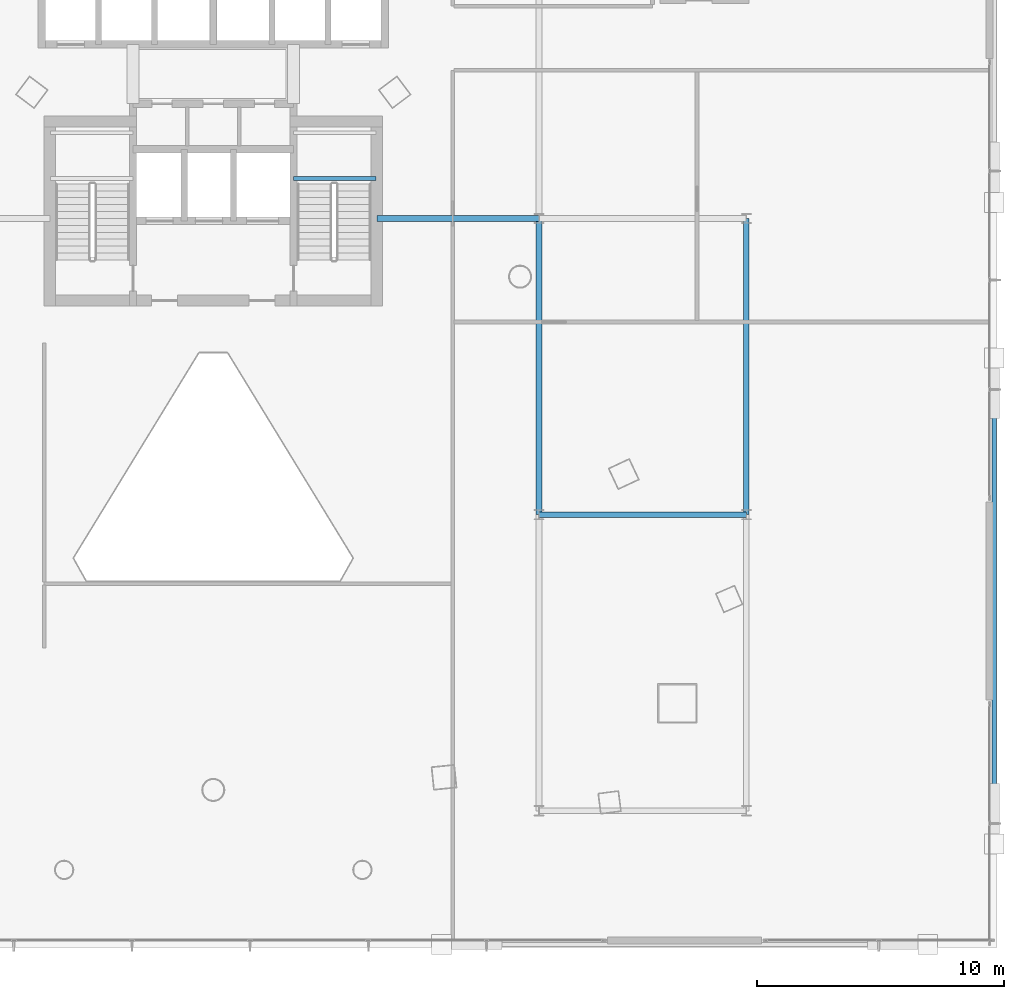
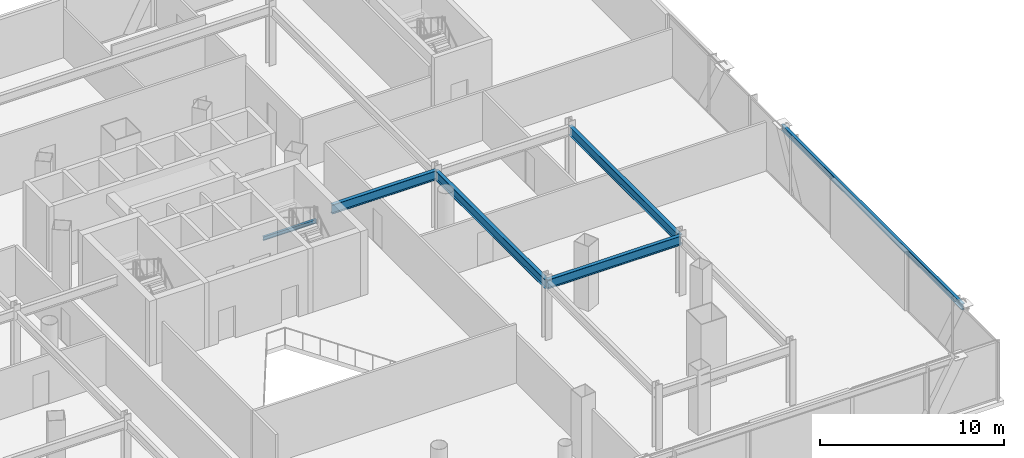
# One storey, part 18 of 46: 6 beams.
"""IFC4 building model written with IfcOpenShell, lengths in metres."""

from ifc_helpers import new_model, si_unit, direction, frame, origin, origin_2d, place, context, subcontext, project, spatial, i_section, extrude, material, material_profile, profile_set, type_object, element, save


model = new_model("IFC4")

# Units and contexts
model_context = context("Model", 3, precision=1e-05, world=origin(), true_north=direction((0.0, 1.0)))
body_context = subcontext(model_context, "Body", "Model", "MODEL_VIEW")
ifc_project = project(units=[si_unit("LENGTHUNIT", "METRE"), si_unit("AREAUNIT", "SQUARE_METRE"), si_unit("VOLUMEUNIT", "CUBIC_METRE"), si_unit("PLANEANGLEUNIT", "RADIAN"), si_unit("MASSUNIT", "GRAM", prefix="KILO")], contexts=[model_context])

# Site, building, storey
site_placement = place(None, origin())
site = spatial("IfcSite", under=ifc_project, at=site_placement, CompositionType="ELEMENT")
building_placement = place(site_placement, origin())
building = spatial("IfcBuilding", under=site, at=building_placement, Name="Orvanel Arch Residences", CompositionType="ELEMENT")
storey_placement = place(building_placement, frame((0.0, 0.0, 14.10009765625)))
storey = spatial("IfcBuildingStorey", under=building, at=storey_placement, Name="L03", CompositionType="ELEMENT", Elevation=14.10009765625)

# Beams
ifc_material = material(Name="Structural steel AS/NZS 3679.1 Grade 300 (300 MPa)", Category="steel")
ifc_material_profile_1 = material_profile(ifc_material, i_section(OverallWidth=0.22900390625, OverallDepth=0.612060546875, WebThickness=0.011962890625, FlangeThickness=0.01953125, at=origin_2d()), Name="610UB125")
ifc_profile_set_1 = profile_set([ifc_material_profile_1], Name="Structural steel AS/NZS 3679.1 Grade 300 (300 MPa)")
beam_type_1 = type_object("IfcBeamType", Name="BG-610UB", PredefinedType="BEAM", material=ifc_profile_set_1)
beam_1_placement = place(storey_placement, frame((46.199951171875, 18.0, 3.593994140625), z_axis=(1.0, 0.0, 0.0), x_axis=(0.0, 1.0, 0.0)))
element("IfcBeam", 1, at=beam_1_placement, inside=storey, type_object=beam_type_1, Name="L03 BG-610UB beam", PredefinedType="BEAM", context=body_context, shape_type="SweptSolid", body=[
    extrude(i_section(OverallWidth=0.22900390625, OverallDepth=0.612060546875, WebThickness=0.011962890625, FlangeThickness=0.01953125, at=origin_2d()), origin(), (0.0, 0.0, 1.0), 8.400146484375),
])
beam_2_placement = place(storey_placement, frame((39.625, 30.0, 3.593994140625), z_axis=(1.0, 0.0, 0.0), x_axis=(0.0, 1.0, 0.0)))
element("IfcBeam", 2, at=beam_2_placement, inside=storey, type_object=beam_type_1, Name="L03 BG-610UB beam", PredefinedType="BEAM", context=body_context, shape_type="SweptSolid", body=[
    extrude(i_section(OverallWidth=0.22900390625, OverallDepth=0.612060546875, WebThickness=0.011962890625, FlangeThickness=0.01953125, at=origin_2d()), origin(), (0.0, 0.0, 1.0), 6.574951171875),
])
for number, where, z_axis, x_axis, name in (
    (3, (46.199951171875, 18.0, 3.593994140625), (0.0, 1.0, 0.0), (-1.0, 0.0, 0.0), "L03 North-South Podium Girder XE46-M"),
    (4, (54.60009765625, 18.0, 3.593994140625), (0.0, 1.0, 0.0), (-1.0, 0.0, 0.0), "L03 North-South Podium Girder XE55-M"),
):
    element("IfcBeam", number, at=place(storey_placement, frame(where, z_axis=z_axis, x_axis=x_axis)), inside=storey, type_object=beam_type_1, Name=name, PredefinedType="BEAM", context=body_context, shape_type="SweptSolid", body=[
        extrude(i_section(OverallWidth=0.22900390625, OverallDepth=0.612060546875, WebThickness=0.011962890625, FlangeThickness=0.01953125, at=origin_2d()), origin(), (0.0, 0.0, 1.0), 12.0),
    ])
ifc_material_profile_2 = material_profile(ifc_material, i_section(OverallWidth=0.14599609375, OverallDepth=0.251953125, WebThickness=0.006103515625, FlangeThickness=0.008544921875, at=origin_2d()), Name="250UB31.4")
ifc_profile_set_2 = profile_set([ifc_material_profile_2], Name="Structural steel AS/NZS 3679.1 Grade 300 (300 MPa)")
beam_type_2 = type_object("IfcBeamType", Name="BJ-250UB", PredefinedType="JOIST", material=ifc_profile_set_2)
beam_3_placement = place(storey_placement, frame((36.25, 31.6201171875, 1.823974609375), z_axis=(1.0, 0.0, 0.0), x_axis=(0.0, 1.0, 0.0)))
element("IfcBeam", 5, at=beam_3_placement, inside=storey, type_object=beam_type_2, Name="L03 ST-2 Half-Landing Support Beam 1.1", PredefinedType="JOIST", context=body_context, shape_type="SweptSolid", body=[
    extrude(i_section(OverallWidth=0.14599609375, OverallDepth=0.251953125, WebThickness=0.006103515625, FlangeThickness=0.008544921875, at=origin_2d()), origin(), (0.0, 0.0, 1.0), 3.35009765625),
])
ifc_material_profile_3 = material_profile(ifc_material, i_section(OverallWidth=0.177978515625, OverallDepth=0.406005859375, WebThickness=0.0078125, FlangeThickness=0.0126953125, at=origin_2d()), Name="410UB59.7")
ifc_profile_set_3 = profile_set([ifc_material_profile_3], Name="Structural steel AS/NZS 3679.1 Grade 300 (300 MPa)")
beam_type_3 = type_object("IfcBeamType", Name="OB-410UB-EXT", PredefinedType="SPANDREL", material=ifc_profile_set_3)
beam_4_placement = place(storey_placement, frame((64.639892578125, 4.64990234375, 3.697021484375), z_axis=(0.0, 1.0, 0.0), x_axis=(-1.0, 0.0, 0.0)))
element("IfcBeam", 6, at=beam_4_placement, inside=storey, type_object=beam_type_3, Name="L03 Podium V-Frame Collector Spandrel Beam E1", PredefinedType="SPANDREL", context=body_context, shape_type="SweptSolid", body=[
    extrude(i_section(OverallWidth=0.177978515625, OverallDepth=0.406005859375, WebThickness=0.0078125, FlangeThickness=0.0126953125, at=origin_2d()), origin(), (0.0, 0.0, 1.0), 19.7001953125),
])

save(model, "model.ifc")
